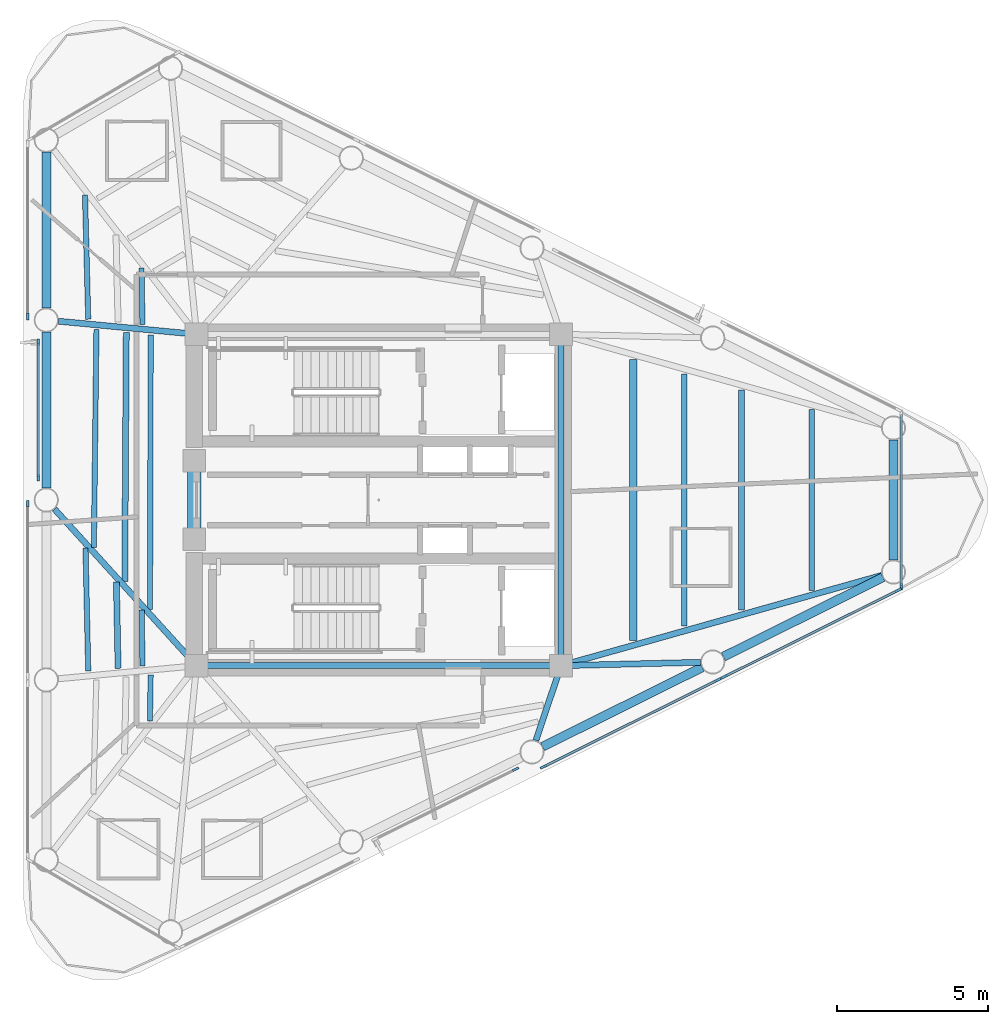
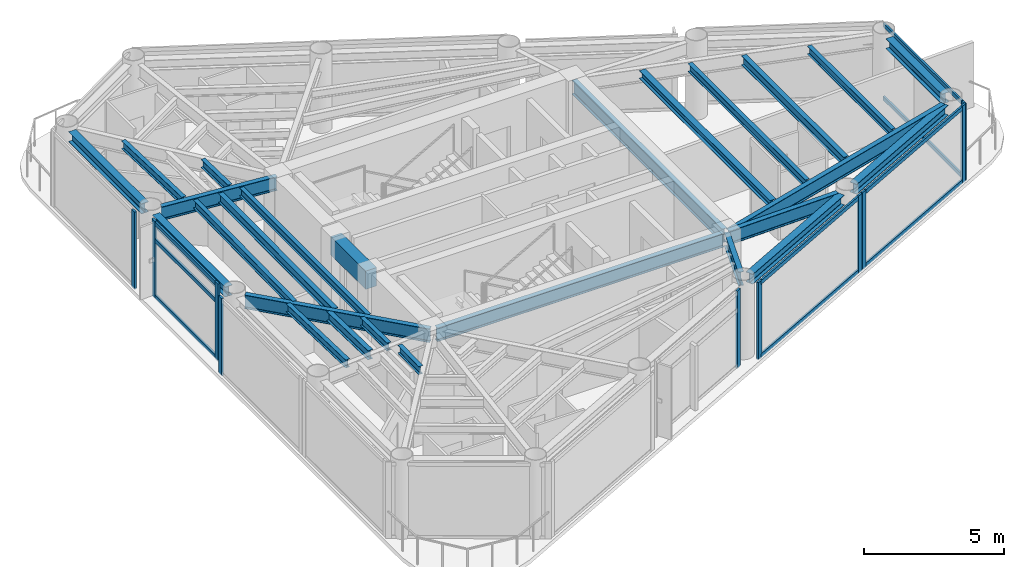
# One storey, part 2 of 10: 26 beams, 19 members, 7 elements without a shape of their own.
"""IFC4 building model written with IfcOpenShell, lengths in metres."""

from ifc_helpers import new_model, si_unit, direction, frame, origin, origin_2d, place, context, subcontext, project, spatial, rectangle, i_section, extrude, source, transform, mapped, material, layer, layer_set, material_profile, profile_set, type_object, element, aggregate, save


model = new_model("IFC4")

# Units and contexts
model_context = context("Model", 3, precision=1e-05, world=origin(), true_north=direction((0.0, 1.0)))
body_context = subcontext(model_context, "Body", "Model", "MODEL_VIEW")
ifc_project = project(units=[si_unit("LENGTHUNIT", "METRE"), si_unit("AREAUNIT", "SQUARE_METRE"), si_unit("VOLUMEUNIT", "CUBIC_METRE"), si_unit("PLANEANGLEUNIT", "RADIAN"), si_unit("MASSUNIT", "GRAM", prefix="KILO")], contexts=[model_context])

# Site, building, storey
site_placement = place(None, origin())
site = spatial("IfcSite", under=ifc_project, at=site_placement, CompositionType="ELEMENT")
building_placement = place(site_placement, origin())
building = spatial("IfcBuilding", under=site, at=building_placement, Name="Yunling Apex Tower", CompositionType="ELEMENT")
storey_placement = place(building_placement, frame((0.0, 0.0, 307.10009765625)))
storey = spatial("IfcBuildingStorey", under=building, at=storey_placement, Name="L75", CompositionType="ELEMENT", Elevation=307.10009765625)

# Beams
ifc_material_1 = material(Name="Concrete C40", Category="concrete")
ifc_material_profile_1 = material_profile(ifc_material_1, rectangle(XDim=0.449951171875, YDim=0.800048828125, at=origin_2d()))
ifc_profile_set_1 = profile_set([ifc_material_profile_1], Name="Concrete C40")
beam_type_1 = type_object("IfcBeamType", Name="BC-CPL-3", PredefinedType="BEAM", material=ifc_profile_set_1)
shared_shape_1 = source(origin(), body_context, "Body", "SweptSolid", [
    extrude(rectangle(XDim=0.449951171875, YDim=0.800048828125, at=origin_2d()), origin(), (0.0, 0.0, 1.0), 2.5),
])
beam_1_placement = place(storey_placement, frame((-6.125, -1.25, 2.869873046875), z_axis=(0.0, 1.0, 0.0), x_axis=(-1.0, 0.0, 0.0)))
element("IfcBeam", 1, at=beam_1_placement, inside=storey, type_object=beam_type_1, Name="L75 Core West Portal Coupling Beam", PredefinedType="BEAM", context=body_context, shape_type="MappedRepresentation", body=[
    mapped(shared_shape_1, transform((0.0, 0.0, 0.0), scale=1.0)),
])
ifc_material_2 = material(Name="Steel Q355B", Category="steel")
ifc_material_profile_2 = material_profile(ifc_material_2, i_section(OverallWidth=0.199951171875, OverallDepth=0.60009765625, WebThickness=0.010986328125, FlangeThickness=0.01708984375, FilletRadius=0.02197265625, at=origin_2d()))
ifc_profile_set_2 = profile_set([ifc_material_profile_2], Name="Steel Q355B")
beam_type_2 = type_object("IfcBeamType", Name="BG-PRI-5", PredefinedType="USERDEFINED", material=ifc_profile_set_2)
shared_shape_2 = source(origin(), body_context, "Body", "SweptSolid", [
    extrude(i_section(OverallWidth=0.199951171875, OverallDepth=0.60009765625, WebThickness=0.010986328125, FlangeThickness=0.01708984375, FilletRadius=0.02197265625, at=origin_2d()), origin(), (0.0, 0.0, 1.0), 11.7998046875),
])
beam_2_placement = place(storey_placement, frame((-5.89990234375, -5.5, 2.969970703125), z_axis=(1.0, 0.0, 0.0), x_axis=(0.0, 1.0, 0.0)))
element("IfcBeam", 2, at=beam_2_placement, inside=storey, type_object=beam_type_2, Name="L75 Core Ring Tie Beam 1", ObjectType="GIRDER", PredefinedType="USERDEFINED", context=body_context, shape_type="MappedRepresentation", body=[
    mapped(shared_shape_2, transform((0.0, 0.0, 0.0), scale=1.0)),
])
shared_shape_3 = source(origin(), body_context, "Body", "SweptSolid", [
    extrude(i_section(OverallWidth=0.199951171875, OverallDepth=0.60009765625, WebThickness=0.010986328125, FlangeThickness=0.01708984375, FilletRadius=0.02197265625, at=origin_2d()), origin(), (0.0, 0.0, 1.0), 10.7001953125),
])
beam_3_placement = place(storey_placement, frame((6.050048828125, -5.35009765625, 2.969970703125), z_axis=(0.0, 1.0, 0.0), x_axis=(-1.0, 0.0, 0.0)))
element("IfcBeam", 3, at=beam_3_placement, inside=storey, type_object=beam_type_2, Name="L75 Core Ring Tie Beam 2", ObjectType="GIRDER", PredefinedType="USERDEFINED", context=body_context, shape_type="MappedRepresentation", body=[
    mapped(shared_shape_3, transform((0.0, 0.0, 0.0), scale=1.0)),
])
ifc_material_profile_3 = material_profile(ifc_material_2, i_section(OverallWidth=0.300048828125, OverallDepth=0.43994140625, WebThickness=0.010986328125, FlangeThickness=0.01806640625, FilletRadius=0.02197265625, at=origin_2d()))
ifc_profile_set_3 = profile_set([ifc_material_profile_3], Name="Steel Q355B")
beam_type_3 = type_object("IfcBeamType", Name="BP-SPN-3", PredefinedType="SPANDREL", material=ifc_profile_set_3)
shared_shape_4 = source(origin(), body_context, "Body", "SweptSolid", [
    extrude(i_section(OverallWidth=0.300048828125, OverallDepth=0.43994140625, WebThickness=0.010986328125, FlangeThickness=0.01806640625, FilletRadius=0.02197265625, at=origin_2d()), origin(), (0.0, 0.0, 1.0), 5.9140625),
])
for number, where, z_axis, x_axis, name in (
    (4, (5.43896484375, -8.1884765625, 3.0498046875), (0.895259510924, 0.445545068539, 0.0), (-0.445545068539, 0.895259510924, 0.0), "L75 Perimeter Spandrel Beam 3"),
    (5, (11.439208984375, -5.2021484375, 3.0498046875), (0.895259510924, 0.445545068539, 0.0), (-0.445545068539, 0.895259510924, 0.0), "L75 Perimeter Spandrel Beam 4"),
):
    element("IfcBeam", number, at=place(storey_placement, frame(where, z_axis=z_axis, x_axis=x_axis)), inside=storey, type_object=beam_type_3, Name=name, PredefinedType="SPANDREL", context=body_context, shape_type="MappedRepresentation", body=[
        mapped(shared_shape_4, transform((0.0, 0.0, 0.0), scale=1.0)),
    ])
shared_shape_5 = source(origin(), body_context, "Body", "SweptSolid", [
    extrude(i_section(OverallWidth=0.300048828125, OverallDepth=0.43994140625, WebThickness=0.010986328125, FlangeThickness=0.01806640625, FilletRadius=0.02197265625, at=origin_2d()), origin(), (0.0, 0.0, 1.0), 3.9951171875),
])
beam_4_placement = place(storey_placement, frame((17.086669921875, -1.99755859375, 3.0498046875), z_axis=(0.0, 1.0, 0.0), x_axis=(-1.0, 0.0, 0.0)))
element("IfcBeam", 6, at=beam_4_placement, inside=storey, type_object=beam_type_3, Name="L75 Perimeter Spandrel Beam 5", PredefinedType="SPANDREL", context=body_context, shape_type="MappedRepresentation", body=[
    mapped(shared_shape_5, transform((0.0, 0.0, 0.0), scale=1.0)),
])
shared_shape_6 = source(origin(), body_context, "Body", "SweptSolid", [
    extrude(i_section(OverallWidth=0.300048828125, OverallDepth=0.43994140625, WebThickness=0.010986328125, FlangeThickness=0.01806640625, FilletRadius=0.02197265625, at=origin_2d()), origin(), (0.0, 0.0, 1.0), 5.1845703125),
])
for number, where, z_axis, x_axis, name in (
    (7, (-11.037353515625, 11.55126953125, 3.0498046875), (0.0, -1.0, 0.0), (1.0, 0.0, 0.0), "L75 Perimeter Spandrel Beam 11"),
    (8, (-11.037353515625, 5.57861328125, 3.0498046875), (0.0, -1.0, 0.0), (1.0, 0.0, 0.0), "L75 Perimeter Spandrel Beam 12"),
):
    element("IfcBeam", number, at=place(storey_placement, frame(where, z_axis=z_axis, x_axis=x_axis)), inside=storey, type_object=beam_type_3, Name=name, PredefinedType="SPANDREL", context=body_context, shape_type="MappedRepresentation", body=[
        mapped(shared_shape_6, transform((0.0, 0.0, 0.0), scale=1.0)),
    ])
shared_shape_7 = source(origin(), body_context, "Body", "SweptSolid", [
    extrude(i_section(OverallWidth=0.199951171875, OverallDepth=0.60009765625, WebThickness=0.010986328125, FlangeThickness=0.01708984375, FilletRadius=0.02197265625, at=origin_2d()), origin(), (0.0, 0.0, 1.0), 2.533935546875),
])
beam_5_placement = place(storey_placement, frame((5.21630859375, -7.977294921875, 2.969970703125), z_axis=(0.318914628896, 0.947783445454, 0.0), x_axis=(-0.947783445454, 0.318914628896, 0.0)))
element("IfcBeam", 9, at=beam_5_placement, inside=storey, type_object=beam_type_2, Name="L75 Radial Primary Girder R03", ObjectType="GIRDER", PredefinedType="USERDEFINED", context=body_context, shape_type="MappedRepresentation", body=[
    mapped(shared_shape_7, transform((0.0, 0.0, 0.0), scale=1.0)),
])
shared_shape_8 = source(origin(), body_context, "Body", "SweptSolid", [
    extrude(i_section(OverallWidth=0.199951171875, OverallDepth=0.60009765625, WebThickness=0.010986328125, FlangeThickness=0.01708984375, FilletRadius=0.02197265625, at=origin_2d()), origin(), (0.0, 0.0, 1.0), 4.5498046875),
])
beam_6_placement = place(storey_placement, frame((10.678466796875, -5.3876953125, 2.969970703125), z_axis=(-0.999705840498, -0.024253504369, 0.0), x_axis=(0.024253504369, -0.999705840498, 0.0)))
element("IfcBeam", 10, at=beam_6_placement, inside=storey, type_object=beam_type_2, Name="L75 Radial Primary Girder R04", ObjectType="GIRDER", PredefinedType="USERDEFINED", context=body_context, shape_type="MappedRepresentation", body=[
    mapped(shared_shape_8, transform((0.0, 0.0, 0.0), scale=1.0)),
])
shared_shape_9 = source(origin(), body_context, "Body", "SweptSolid", [
    extrude(i_section(OverallWidth=0.199951171875, OverallDepth=0.60009765625, WebThickness=0.010986328125, FlangeThickness=0.01708984375, FilletRadius=0.02197265625, at=origin_2d()), origin(), (0.0, 0.0, 1.0), 10.97802734375),
])
beam_7_placement = place(storey_placement, frame((16.69384765625, -2.502197265625, 2.969970703125), z_axis=(-0.962552702816, -0.271094622414, 0.0), x_axis=(0.271094622414, -0.962552702816, 0.0)))
element("IfcBeam", 11, at=beam_7_placement, inside=storey, type_object=beam_type_2, Name="L75 Radial Primary Girder R05", ObjectType="GIRDER", PredefinedType="USERDEFINED", context=body_context, shape_type="MappedRepresentation", body=[
    mapped(shared_shape_9, transform((0.0, 0.0, 0.0), scale=1.0)),
])
shared_shape_10 = source(origin(), body_context, "Body", "SweptSolid", [
    extrude(i_section(OverallWidth=0.199951171875, OverallDepth=0.60009765625, WebThickness=0.010986328125, FlangeThickness=0.01708984375, FilletRadius=0.02197265625, at=origin_2d()), origin(), (0.0, 0.0, 1.0), 4.521728515625),
])
beam_8_placement = place(storey_placement, frame((-10.631103515625, 5.93408203125, 2.969970703125), z_axis=(0.99554122067, -0.094327503661, 0.0), x_axis=(0.094327503661, 0.99554122067, 0.0)))
element("IfcBeam", 12, at=beam_8_placement, inside=storey, type_object=beam_type_2, Name="L75 Radial Primary Girder R12", ObjectType="GIRDER", PredefinedType="USERDEFINED", context=body_context, shape_type="MappedRepresentation", body=[
    mapped(shared_shape_10, transform((0.0, 0.0, 0.0), scale=1.0)),
])
shared_shape_11 = source(origin(), body_context, "Body", "SweptSolid", [
    extrude(i_section(OverallWidth=0.199951171875, OverallDepth=0.60009765625, WebThickness=0.010986328125, FlangeThickness=0.01708984375, FilletRadius=0.02197265625, at=origin_2d()), origin(), (0.0, 0.0, 1.0), 6.9365234375),
])
beam_9_placement = place(storey_placement, frame((-10.76318359375, -0.30224609375, 2.969970703125), z_axis=(0.671734994532, -0.740791534185, 0.0), x_axis=(0.740791534185, 0.671734994532, 0.0)))
element("IfcBeam", 13, at=beam_9_placement, inside=storey, type_object=beam_type_2, Name="L75 Radial Primary Girder R13", ObjectType="GIRDER", PredefinedType="USERDEFINED", context=body_context, shape_type="MappedRepresentation", body=[
    mapped(shared_shape_11, transform((0.0, 0.0, 0.0), scale=1.0)),
])
ifc_material_profile_4 = material_profile(ifc_material_2, i_section(OverallWidth=0.199951171875, OverallDepth=0.39990234375, WebThickness=0.008056640625, FlangeThickness=0.012939453125, FilletRadius=0.01611328125, at=origin_2d()))
ifc_profile_set_4 = profile_set([ifc_material_profile_4], Name="Steel Q355B")
beam_type_4 = type_object("IfcBeamType", Name="BS-SEC-4", PredefinedType="BEAM", material=ifc_profile_set_4)
shared_shape_12 = source(origin(), body_context, "Body", "SweptSolid", [
    extrude(i_section(OverallWidth=0.199951171875, OverallDepth=0.39990234375, WebThickness=0.008056640625, FlangeThickness=0.012939453125, FilletRadius=0.01611328125, at=origin_2d()), origin(), (0.0, 0.0, 1.0), 7.30322265625),
])
beam_10_placement = place(storey_placement, frame((12.04443359375, -3.651611328125, 3.06982421875), z_axis=(0.0, 1.0, 0.0), x_axis=(-1.0, 0.0, 0.0)))
element("IfcBeam", 14, at=beam_10_placement, inside=storey, type_object=beam_type_4, Name="L75 Composite Floor Beam BS-5", PredefinedType="BEAM", context=body_context, shape_type="MappedRepresentation", body=[
    mapped(shared_shape_12, transform((0.0, 0.0, 0.0), scale=1.0)),
])
ifc_material_profile_5 = material_profile(ifc_material_2, i_section(OverallWidth=0.175048828125, OverallDepth=0.35009765625, WebThickness=0.007080078125, FlangeThickness=0.010986328125, FilletRadius=0.013916015625, at=origin_2d()))
ifc_profile_set_5 = profile_set([ifc_material_profile_5], Name="Steel Q355B")
beam_type_5 = type_object("IfcBeamType", Name="BJ-JST-1", PredefinedType="JOIST", material=ifc_profile_set_5)
shared_shape_13 = source(origin(), body_context, "Body", "SweptSolid", [
    extrude(i_section(OverallWidth=0.175048828125, OverallDepth=0.35009765625, WebThickness=0.007080078125, FlangeThickness=0.010986328125, FilletRadius=0.013916015625, at=origin_2d()), origin(), (0.0, 0.0, 1.0), 5.99365234375),
])
beam_11_placement = place(storey_placement, frame((14.369140625, -2.996826171875, 3.094970703125), z_axis=(0.0, 1.0, 0.0), x_axis=(-1.0, 0.0, 0.0)))
element("IfcBeam", 15, at=beam_11_placement, inside=storey, type_object=beam_type_5, Name="L75 Composite Floor Joist BJ1-5", PredefinedType="JOIST", context=body_context, shape_type="MappedRepresentation", body=[
    mapped(shared_shape_13, transform((0.0, 0.0, 0.0), scale=1.0)),
])
shared_shape_14 = source(origin(), body_context, "Body", "SweptSolid", [
    extrude(i_section(OverallWidth=0.175048828125, OverallDepth=0.35009765625, WebThickness=0.007080078125, FlangeThickness=0.010986328125, FilletRadius=0.013916015625, at=origin_2d()), origin(), (0.0, 0.0, 1.0), 8.37451171875),
])
beam_12_placement = place(storey_placement, frame((10.142333984375, -4.187255859375, 3.094970703125), z_axis=(0.0, 1.0, 0.0), x_axis=(-1.0, 0.0, 0.0)))
element("IfcBeam", 16, at=beam_12_placement, inside=storey, type_object=beam_type_5, Name="L75 Composite Floor Joist BJ3-5", PredefinedType="JOIST", context=body_context, shape_type="MappedRepresentation", body=[
    mapped(shared_shape_14, transform((0.0, 0.0, 0.0), scale=1.0)),
])
ifc_material_profile_6 = material_profile(ifc_material_2, i_section(OverallWidth=0.25, OverallDepth=0.340087890625, WebThickness=0.009033203125, FlangeThickness=0.013916015625, FilletRadius=0.01806640625, at=origin_2d()))
ifc_profile_set_6 = profile_set([ifc_material_profile_6], Name="Steel Q355B")
beam_type_6 = type_object("IfcBeamType", Name="BJ-JST-2", PredefinedType="JOIST", material=ifc_profile_set_6)
shared_shape_15 = source(origin(), body_context, "Body", "SweptSolid", [
    extrude(i_section(OverallWidth=0.25, OverallDepth=0.340087890625, WebThickness=0.009033203125, FlangeThickness=0.013916015625, FilletRadius=0.01806640625, at=origin_2d()), origin(), (0.0, 0.0, 1.0), 9.3271484375),
])
beam_13_placement = place(storey_placement, frame((8.45166015625, -4.66357421875, 3.099853515625), z_axis=(0.0, 1.0, 0.0), x_axis=(-1.0, 0.0, 0.0)))
element("IfcBeam", 17, at=beam_13_placement, inside=storey, type_object=beam_type_6, Name="L75 Composite Floor Joist BJ2-5", PredefinedType="JOIST", context=body_context, shape_type="MappedRepresentation", body=[
    mapped(shared_shape_15, transform((0.0, 0.0, 0.0), scale=1.0)),
])
shared_shape_16 = source(origin(), body_context, "Body", "SweptSolid", [
    extrude(i_section(OverallWidth=0.175048828125, OverallDepth=0.35009765625, WebThickness=0.007080078125, FlangeThickness=0.010986328125, FilletRadius=0.013916015625, at=origin_2d()), origin(), (0.0, 0.0, 1.0), 4.130859375),
])
beam_14_placement = place(storey_placement, frame((-9.751953125, 10.129638671875, 3.094970703125), z_axis=(0.025887029391, -0.9996648747, 0.0), x_axis=(0.9996648747, 0.025887029391, 0.0)))
element("IfcBeam", 18, at=beam_14_placement, inside=storey, type_object=beam_type_5, Name="L75 Composite Floor Joist BJ1-11", PredefinedType="JOIST", context=body_context, shape_type="MappedRepresentation", body=[
    mapped(shared_shape_16, transform((0.0, 0.0, 0.0), scale=1.0)),
])
shared_shape_17 = source(origin(), body_context, "Body", "SweptSolid", [
    extrude(i_section(OverallWidth=0.175048828125, OverallDepth=0.35009765625, WebThickness=0.007080078125, FlangeThickness=0.010986328125, FilletRadius=0.013916015625, at=origin_2d()), origin(), (0.0, 0.0, 1.0), 1.87646484375),
])
beam_15_placement = place(storey_placement, frame((-7.877685546875, 7.705810546875, 3.094970703125), z_axis=(0.01847440018, -0.999829333705, 0.0), x_axis=(0.999829333705, 0.01847440018, 0.0)))
element("IfcBeam", 19, at=beam_15_placement, inside=storey, type_object=beam_type_5, Name="L75 Composite Floor Joist BJ3-11", PredefinedType="JOIST", context=body_context, shape_type="MappedRepresentation", body=[
    mapped(shared_shape_17, transform((0.0, 0.0, 0.0), scale=1.0)),
])
shared_shape_18 = source(origin(), body_context, "Body", "SweptSolid", [
    extrude(i_section(OverallWidth=0.199951171875, OverallDepth=0.39990234375, WebThickness=0.008056640625, FlangeThickness=0.012939453125, FilletRadius=0.01611328125, at=origin_2d()), origin(), (0.0, 0.0, 1.0), 8.2724609375),
])
beam_16_placement = place(storey_placement, frame((-8.38134765625, 5.560791015625, 3.06982421875), z_axis=(-0.006197679272, -0.999980794201, 0.0), x_axis=(0.999980794201, -0.006197679272, 0.0)))
element("IfcBeam", 20, at=beam_16_placement, inside=storey, type_object=beam_type_4, Name="L75 Composite Floor Beam BS-12", PredefinedType="BEAM", context=body_context, shape_type="MappedRepresentation", body=[
    mapped(shared_shape_18, transform((0.0, 0.0, 0.0), scale=1.0)),
])
shared_shape_19 = source(origin(), body_context, "Body", "SweptSolid", [
    extrude(i_section(OverallWidth=0.175048828125, OverallDepth=0.35009765625, WebThickness=0.007080078125, FlangeThickness=0.010986328125, FilletRadius=0.013916015625, at=origin_2d()), origin(), (0.0, 0.0, 1.0), 7.236328125),
])
beam_17_placement = place(storey_placement, frame((-9.37255859375, 5.65478515625, 3.094970703125), z_axis=(-0.011639673006, -0.999932256712, 0.0), x_axis=(0.999932256712, -0.011639673006, 0.0)))
element("IfcBeam", 21, at=beam_17_placement, inside=storey, type_object=beam_type_5, Name="L75 Composite Floor Joist BJ1-12", PredefinedType="JOIST", context=body_context, shape_type="MappedRepresentation", body=[
    mapped(shared_shape_19, transform((0.0, 0.0, 0.0), scale=1.0)),
])
shared_shape_20 = source(origin(), body_context, "Body", "SweptSolid", [
    extrude(i_section(OverallWidth=0.175048828125, OverallDepth=0.35009765625, WebThickness=0.007080078125, FlangeThickness=0.010986328125, FilletRadius=0.013916015625, at=origin_2d()), origin(), (0.0, 0.0, 1.0), 9.120361328125),
])
beam_18_placement = place(storey_placement, frame((-7.570556640625, 5.48388671875, 3.094970703125), z_axis=(-0.002596559494, -0.999996628934, 0.0), x_axis=(0.999996628934, -0.002596559494, 0.0)))
element("IfcBeam", 22, at=beam_18_placement, inside=storey, type_object=beam_type_5, Name="L75 Composite Floor Joist BJ3-12", PredefinedType="JOIST", context=body_context, shape_type="MappedRepresentation", body=[
    mapped(shared_shape_20, transform((0.0, 0.0, 0.0), scale=1.0)),
])
shared_shape_21 = source(origin(), body_context, "Body", "SweptSolid", [
    extrude(i_section(OverallWidth=0.199951171875, OverallDepth=0.39990234375, WebThickness=0.008056640625, FlangeThickness=0.012939453125, FilletRadius=0.01611328125, at=origin_2d()), origin(), (0.0, 0.0, 1.0), 2.86376953125),
])
beam_19_placement = place(storey_placement, frame((-8.7099609375, -2.72314453125, 3.06982421875), z_axis=(0.019692633422, -0.999806081292, 0.0), x_axis=(0.999806081292, 0.019692633422, 0.0)))
element("IfcBeam", 23, at=beam_19_placement, inside=storey, type_object=beam_type_4, Name="L75 Composite Floor Beam BS-13", PredefinedType="BEAM", context=body_context, shape_type="MappedRepresentation", body=[
    mapped(shared_shape_21, transform((0.0, 0.0, 0.0), scale=1.0)),
])
shared_shape_22 = source(origin(), body_context, "Body", "SweptSolid", [
    extrude(i_section(OverallWidth=0.175048828125, OverallDepth=0.35009765625, WebThickness=0.007080078125, FlangeThickness=0.010986328125, FilletRadius=0.013916015625, at=origin_2d()), origin(), (0.0, 0.0, 1.0), 4.0888671875),
])
beam_20_placement = place(storey_placement, frame((-9.734619140625, -1.592529296875, 3.094970703125), z_axis=(0.022092074649, -0.999755940336, 0.0), x_axis=(0.999755940336, 0.022092074649, 0.0)))
element("IfcBeam", 24, at=beam_20_placement, inside=storey, type_object=beam_type_5, Name="L75 Composite Floor Joist BJ1-13", PredefinedType="JOIST", context=body_context, shape_type="MappedRepresentation", body=[
    mapped(shared_shape_22, transform((0.0, 0.0, 0.0), scale=1.0)),
])
shared_shape_23 = source(origin(), body_context, "Body", "SweptSolid", [
    extrude(i_section(OverallWidth=0.175048828125, OverallDepth=0.35009765625, WebThickness=0.007080078125, FlangeThickness=0.010986328125, FilletRadius=0.013916015625, at=origin_2d()), origin(), (0.0, 0.0, 1.0), 1.861572265625),
])
beam_21_placement = place(storey_placement, frame((-7.871826171875, -3.648193359375, 3.094970703125), z_axis=(0.015606703404, -0.999878207988, 0.0), x_axis=(0.999878207988, 0.015606703404, 0.0)))
element("IfcBeam", 25, at=beam_21_placement, inside=storey, type_object=beam_type_5, Name="L75 Composite Floor Joist BJ3-13", PredefinedType="JOIST", context=body_context, shape_type="MappedRepresentation", body=[
    mapped(shared_shape_23, transform((0.0, 0.0, 0.0), scale=1.0)),
])
shared_shape_24 = source(origin(), body_context, "Body", "SweptSolid", [
    extrude(i_section(OverallWidth=0.175048828125, OverallDepth=0.35009765625, WebThickness=0.007080078125, FlangeThickness=0.010986328125, FilletRadius=0.013916015625, at=origin_2d()), origin(), (0.0, 0.0, 1.0), 1.53857421875),
])
beam_22_placement = place(storey_placement, frame((-7.572509765625, -5.803955078125, 3.094970703125), z_axis=(-0.015709852828, -0.999876592647, 0.0), x_axis=(0.999876592647, -0.015709852828, 0.0)))
element("IfcBeam", 26, at=beam_22_placement, inside=storey, type_object=beam_type_5, Name="L75 Composite Floor Joist BJ3-14", PredefinedType="JOIST", context=body_context, shape_type="MappedRepresentation", body=[
    mapped(shared_shape_24, transform((0.0, 0.0, 0.0), scale=1.0)),
])

# Curtain wall, member
ifc_material_3 = material(Name="Bronze anodised aluminium", Category="aluminium")
ifc_layer = layer(ifc_material_3, 0.219970703125)
ifc_layer_set = layer_set([ifc_layer], Name="Bronze anodised aluminium")
curtain_wall_type = type_object("IfcCurtainWallType", Name="CW-SYS-4", PredefinedType="NOTDEFINED", material=ifc_layer_set)
curtain_wall_1_placement = place(storey_placement, origin())
curtain_wall_1 = element("IfcCurtainWall", 27, at=curtain_wall_1_placement, inside=storey, type_object=curtain_wall_type, Name="CW-L75-F1-B2", PredefinedType="NOTDEFINED")
ifc_material_profile_7 = material_profile(ifc_material_3, rectangle(XDim=0.080078125, YDim=0.219970703125, at=origin_2d()))
ifc_profile_set_7 = profile_set([ifc_material_profile_7], Name="Bronze anodised aluminium")
member_type_1 = type_object("IfcMemberType", Name="CW-MUL-4", PredefinedType="MULLION", material=ifc_profile_set_7)
shared_shape_25 = source(origin(), body_context, "Body", "SweptSolid", [
    extrude(rectangle(XDim=0.080078125, YDim=0.219970703125, at=origin_2d()), origin(), (0.0, 0.0, 1.0), 3.369873046875),
])
member_1_placement = place(storey_placement, frame((4.544189453125, -8.935546875, -0.050048828125), z_axis=(0.0, 0.0, 1.0), x_axis=(-0.445560721723, 0.895251720611, 0.0)))
member_1 = element("IfcMember", 28, at=member_1_placement, type_object=member_type_1, Name="CW-SYS-4 mullion 2", PredefinedType="MULLION", context=body_context, shape_type="MappedRepresentation", body=[
    mapped(shared_shape_25, transform((0.0, 0.0, 0.0), scale=1.0)),
])
aggregate(curtain_wall_1, [member_1])

# Curtain wall, members
curtain_wall_2_placement = place(storey_placement, origin())
curtain_wall_2 = element("IfcCurtainWall", 29, at=curtain_wall_2_placement, inside=storey, type_object=curtain_wall_type, Name="CW-L75-F1-B3", PredefinedType="NOTDEFINED")
member_2_placement = place(storey_placement, frame((5.465576171875, -8.856689453125, -0.050048828125), z_axis=(0.0, 0.0, 1.0), x_axis=(-0.445580385698, 0.895241933715, 0.0)))
member_2 = element("IfcMember", 30, at=member_2_placement, type_object=member_type_1, Name="CW-SYS-4 mullion 1", PredefinedType="MULLION", context=body_context, shape_type="MappedRepresentation", body=[
    mapped(shared_shape_25, transform((0.0, 0.0, 0.0), scale=1.0)),
])
member_3_placement = place(storey_placement, frame((11.250732421875, -5.977294921875, -0.050048828125), z_axis=(0.0, 0.0, 1.0), x_axis=(-0.445580385698, 0.895241933715, 0.0)))
member_3 = element("IfcMember", 31, at=member_3_placement, type_object=member_type_1, Name="CW-SYS-4 mullion 2", PredefinedType="MULLION", context=body_context, shape_type="MappedRepresentation", body=[
    mapped(shared_shape_25, transform((0.0, 0.0, 0.0), scale=1.0)),
])

curtain_wall_3_placement = place(storey_placement, origin())
curtain_wall_3 = element("IfcCurtainWall", 32, at=curtain_wall_3_placement, inside=storey, type_object=curtain_wall_type, Name="CW-L75-F1-B4", PredefinedType="NOTDEFINED")
member_4_placement = place(storey_placement, frame((11.465576171875, -5.870361328125, -0.050048828125), z_axis=(0.0, 0.0, 1.0), x_axis=(-0.445568135078, 0.895248030996, 0.0)))
member_4 = element("IfcMember", 33, at=member_4_placement, type_object=member_type_1, Name="CW-SYS-4 mullion 1", PredefinedType="MULLION", context=body_context, shape_type="MappedRepresentation", body=[
    mapped(shared_shape_25, transform((0.0, 0.0, 0.0), scale=1.0)),
])
member_5_placement = place(storey_placement, frame((17.2509765625, -2.990966796875, -0.050048828125), z_axis=(0.0, 0.0, 1.0), x_axis=(-0.445568135078, 0.895248030996, 0.0)))
member_5 = element("IfcMember", 34, at=member_5_placement, type_object=member_type_1, Name="CW-SYS-4 mullion 2", PredefinedType="MULLION", context=body_context, shape_type="MappedRepresentation", body=[
    mapped(shared_shape_25, transform((0.0, 0.0, 0.0), scale=1.0)),
])

# Curtain wall, member
curtain_wall_4_placement = place(storey_placement, origin())
curtain_wall_4 = element("IfcCurtainWall", 35, at=curtain_wall_4_placement, inside=storey, type_object=curtain_wall_type, Name="CW-L75-CRN1", PredefinedType="NOTDEFINED")
member_6_placement = place(storey_placement, frame((17.349365234375, -2.879638671875, -0.050048828125), z_axis=(0.0, 0.0, 1.0), x_axis=(-1.0, 0.0, 0.0)))
member_6 = element("IfcMember", 36, at=member_6_placement, type_object=member_type_1, Name="CW-SYS-4 mullion 1", PredefinedType="MULLION", context=body_context, shape_type="MappedRepresentation", body=[
    mapped(shared_shape_25, transform((0.0, 0.0, 0.0), scale=1.0)),
])

curtain_wall_5_placement = place(storey_placement, origin())
curtain_wall_5 = element("IfcCurtainWall", 37, at=curtain_wall_5_placement, inside=storey, type_object=curtain_wall_type, Name="CW-L75-F3-B1", PredefinedType="NOTDEFINED")
member_7_placement = place(storey_placement, frame((-11.647216796875, 6.092529296875, -0.050048828125), z_axis=(0.0, 0.0, 1.0), x_axis=(1.0, 0.0, 0.0)))
member_7 = element("IfcMember", 38, at=member_7_placement, type_object=member_type_1, Name="CW-SYS-4 mullion 2", PredefinedType="MULLION", context=body_context, shape_type="MappedRepresentation", body=[
    mapped(shared_shape_25, transform((0.0, 0.0, 0.0), scale=1.0)),
])
aggregate(curtain_wall_5, [member_7])

# Curtain wall, members
curtain_wall_6_placement = place(storey_placement, origin())
curtain_wall_6 = element("IfcCurtainWall", 39, at=curtain_wall_6_placement, inside=storey, type_object=curtain_wall_type, Name="CW-L75-F3-B2", PredefinedType="NOTDEFINED")
member_8_placement = place(storey_placement, frame((-11.307373046875, 5.232666015625, -0.050048828125), z_axis=(0.0, 0.0, 1.0), x_axis=(1.0, 0.0, 0.0)))
member_8 = element("IfcMember", 40, at=member_8_placement, type_object=member_type_1, Name="CW-SYS-4 mullion 1", PredefinedType="MULLION", context=body_context, shape_type="MappedRepresentation", body=[
    mapped(shared_shape_25, transform((0.0, 0.0, 0.0), scale=1.0)),
])
member_9_placement = place(storey_placement, frame((-11.307373046875, 0.739990234375, -0.050048828125), z_axis=(0.0, 0.0, 1.0), x_axis=(1.0, 0.0, 0.0)))
member_9 = element("IfcMember", 41, at=member_9_placement, type_object=member_type_1, Name="CW-SYS-4 mullion 2", PredefinedType="MULLION", context=body_context, shape_type="MappedRepresentation", body=[
    mapped(shared_shape_25, transform((0.0, 0.0, 0.0), scale=1.0)),
])

# Curtain wall, member
curtain_wall_7_placement = place(storey_placement, origin())
curtain_wall_7 = element("IfcCurtainWall", 42, at=curtain_wall_7_placement, inside=storey, type_object=curtain_wall_type, Name="CW-L75-F3-B3", PredefinedType="NOTDEFINED")
member_10_placement = place(storey_placement, frame((-11.647216796875, -0.1201171875, -0.050048828125), z_axis=(0.0, 0.0, 1.0), x_axis=(1.0, 0.0, 0.0)))
member_10 = element("IfcMember", 43, at=member_10_placement, type_object=member_type_1, Name="CW-SYS-4 mullion 1", PredefinedType="MULLION", context=body_context, shape_type="MappedRepresentation", body=[
    mapped(shared_shape_25, transform((0.0, 0.0, 0.0), scale=1.0)),
])
aggregate(curtain_wall_7, [member_10])

# Member
ifc_material_profile_8 = material_profile(ifc_material_3, rectangle(XDim=0.080078125, YDim=0.169921875, at=origin_2d()))
ifc_profile_set_8 = profile_set([ifc_material_profile_8], Name="Bronze anodised aluminium")
member_type_2 = type_object("IfcMemberType", Name="CW-TRN-4", PredefinedType="USERDEFINED", material=ifc_profile_set_8)
shared_shape_26 = source(origin(), body_context, "Body", "SweptSolid", [
    extrude(rectangle(XDim=0.080078125, YDim=0.169921875, at=origin_2d()), origin(), (0.0, 0.0, 1.0), 6.39013671875),
])
member_11_placement = place(storey_placement, frame((5.497802734375, -8.8408203125, 0.039794921875), z_axis=(0.895235684646, 0.445592940851, 0.0), x_axis=(-0.445592940851, 0.895235684646, 0.0)))
member_11 = element("IfcMember", 44, at=member_11_placement, type_object=member_type_2, Name="CW-SYS-4 transom 1.1", ObjectType="TRANSOM", PredefinedType="USERDEFINED", context=body_context, shape_type="MappedRepresentation", body=[
    mapped(shared_shape_26, transform((0.0, 0.0, 0.0), scale=1.0)),
])

member_12_placement = place(storey_placement, frame((5.497802734375, -8.8408203125, 3.22998046875), z_axis=(0.895235684646, 0.445592940851, 0.0), x_axis=(-0.445592940851, 0.895235684646, 0.0)))
member_12 = element("IfcMember", 45, at=member_12_placement, type_object=member_type_2, Name="CW-SYS-4 transom 1.2", ObjectType="TRANSOM", PredefinedType="USERDEFINED", context=body_context, shape_type="MappedRepresentation", body=[
    mapped(shared_shape_26, transform((0.0, 0.0, 0.0), scale=1.0)),
])

aggregate(curtain_wall_2, [member_2, member_3, member_11, member_12])

shared_shape_27 = source(origin(), body_context, "Body", "SweptSolid", [
    extrude(rectangle(XDim=0.080078125, YDim=0.169921875, at=origin_2d()), origin(), (0.0, 0.0, 1.0), 6.390380859375),
])
member_13_placement = place(storey_placement, frame((11.497802734375, -5.854248046875, 0.039794921875), z_axis=(0.895258509594, 0.445547080565, 0.0), x_axis=(-0.445547080565, 0.895258509594, 0.0)))
member_13 = element("IfcMember", 46, at=member_13_placement, type_object=member_type_2, Name="CW-SYS-4 transom 1.1", ObjectType="TRANSOM", PredefinedType="USERDEFINED", context=body_context, shape_type="MappedRepresentation", body=[
    mapped(shared_shape_27, transform((0.0, 0.0, 0.0), scale=1.0)),
])

member_14_placement = place(storey_placement, frame((11.497802734375, -5.854248046875, 3.22998046875), z_axis=(0.895258509594, 0.445547080565, 0.0), x_axis=(-0.445547080565, 0.895258509594, 0.0)))
member_14 = element("IfcMember", 47, at=member_14_placement, type_object=member_type_2, Name="CW-SYS-4 transom 1.2", ObjectType="TRANSOM", PredefinedType="USERDEFINED", context=body_context, shape_type="MappedRepresentation", body=[
    mapped(shared_shape_27, transform((0.0, 0.0, 0.0), scale=1.0)),
])

aggregate(curtain_wall_3, [member_4, member_5, member_13, member_14])

shared_shape_28 = source(origin(), body_context, "Body", "SweptSolid", [
    extrude(rectangle(XDim=0.080078125, YDim=0.169921875, at=origin_2d()), origin(), (0.0, 0.0, 1.0), 5.6875),
])
member_15_placement = place(storey_placement, frame((17.349365234375, -2.84375, 0.039794921875), z_axis=(0.0, 1.0, 0.0), x_axis=(-1.0, 0.0, 0.0)))
member_15 = element("IfcMember", 48, at=member_15_placement, type_object=member_type_2, Name="CW-SYS-4 transom 1.1", ObjectType="TRANSOM", PredefinedType="USERDEFINED", context=body_context, shape_type="MappedRepresentation", body=[
    mapped(shared_shape_28, transform((0.0, 0.0, 0.0), scale=1.0)),
])

member_16_placement = place(storey_placement, frame((17.349365234375, -2.84375, 3.22998046875), z_axis=(0.0, 1.0, 0.0), x_axis=(-1.0, 0.0, 0.0)))
member_16 = element("IfcMember", 49, at=member_16_placement, type_object=member_type_2, Name="CW-SYS-4 transom 1.2", ObjectType="TRANSOM", PredefinedType="USERDEFINED", context=body_context, shape_type="MappedRepresentation", body=[
    mapped(shared_shape_28, transform((0.0, 0.0, 0.0), scale=1.0)),
])

aggregate(curtain_wall_4, [member_6, member_15, member_16])

shared_shape_29 = source(origin(), body_context, "Body", "SweptSolid", [
    extrude(rectangle(XDim=0.080078125, YDim=0.169921875, at=origin_2d()), origin(), (0.0, 0.0, 1.0), 4.420654296875),
])
member_17_placement = place(storey_placement, frame((-11.307373046875, 5.196533203125, 0.039794921875), z_axis=(0.0, -1.0, 0.0), x_axis=(1.0, 0.0, 0.0)))
member_17 = element("IfcMember", 50, at=member_17_placement, type_object=member_type_2, Name="CW-SYS-4 transom 1.1", ObjectType="TRANSOM", PredefinedType="USERDEFINED", context=body_context, shape_type="MappedRepresentation", body=[
    mapped(shared_shape_29, transform((0.0, 0.0, 0.0), scale=1.0)),
])

member_18_placement = place(storey_placement, frame((-11.307373046875, 5.196533203125, 2.485107421875), z_axis=(0.0, -1.0, 0.0), x_axis=(1.0, 0.0, 0.0)))
member_18 = element("IfcMember", 51, at=member_18_placement, type_object=member_type_2, Name="CW-SYS-4 transom 1.2", ObjectType="TRANSOM", PredefinedType="USERDEFINED", context=body_context, shape_type="MappedRepresentation", body=[
    mapped(shared_shape_29, transform((0.0, 0.0, 0.0), scale=1.0)),
])

member_19_placement = place(storey_placement, frame((-11.307373046875, 5.196533203125, 3.22998046875), z_axis=(0.0, -1.0, 0.0), x_axis=(1.0, 0.0, 0.0)))
member_19 = element("IfcMember", 52, at=member_19_placement, type_object=member_type_2, Name="CW-SYS-4 transom 1.3", ObjectType="TRANSOM", PredefinedType="USERDEFINED", context=body_context, shape_type="MappedRepresentation", body=[
    mapped(shared_shape_29, transform((0.0, 0.0, 0.0), scale=1.0)),
])

aggregate(curtain_wall_6, [member_8, member_9, member_17, member_18, member_19])

save(model, "model.ifc")
